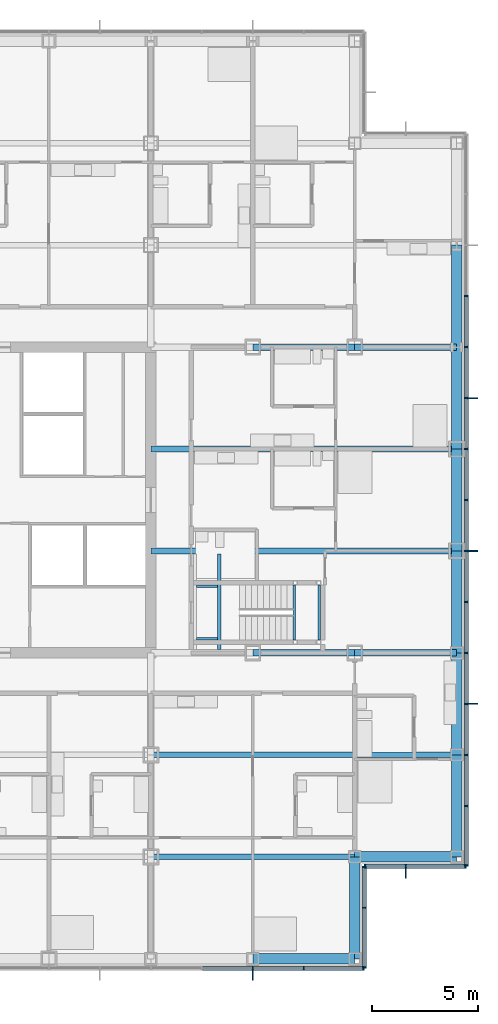
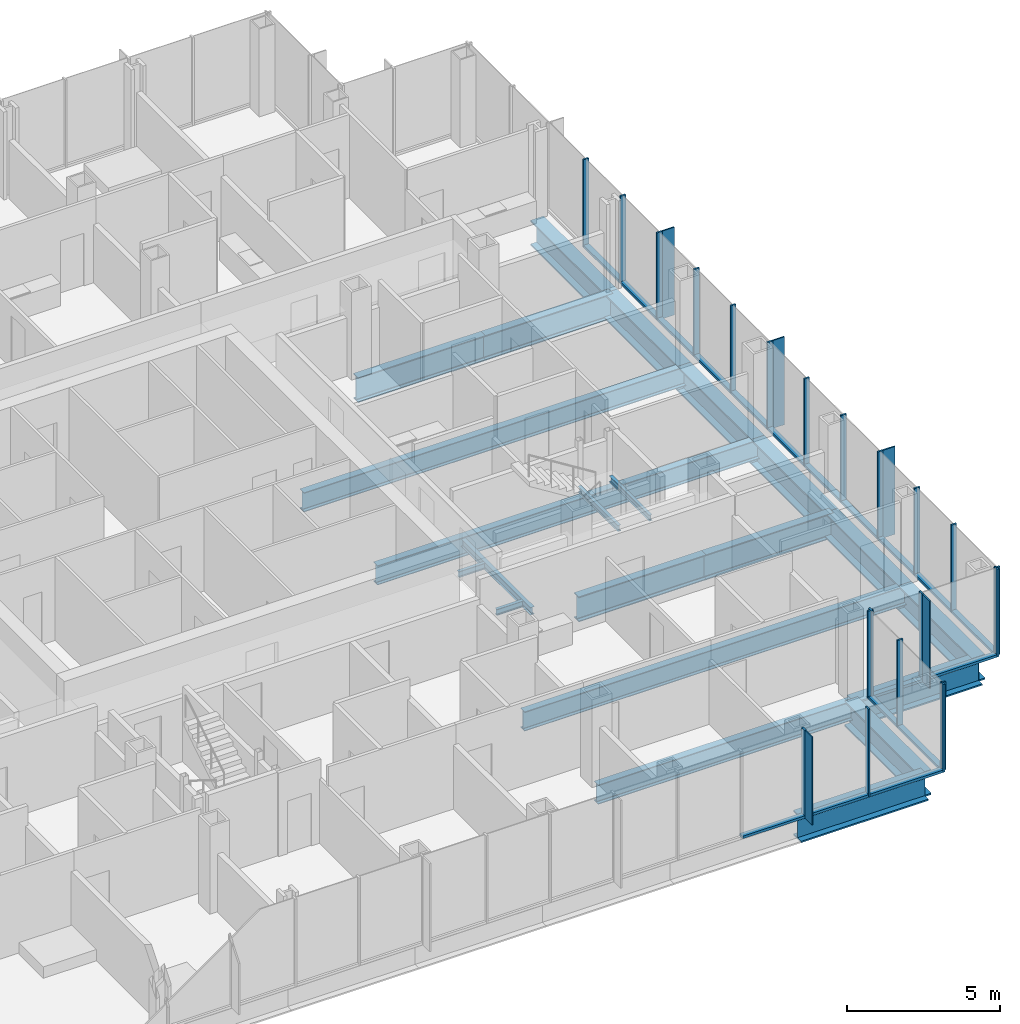
# One storey, part 9 of 21: 44 members, 22 beams, 4 elements without a shape of their own.
"""IFC4 building model written with IfcOpenShell, lengths in metres."""

from ifc_helpers import new_model, si_unit, direction, frame, origin, origin_2d, place, context, subcontext, project, spatial, rectangle, i_section, extrude, material, material_profile, profile_set, type_object, element, aggregate, save


model = new_model("IFC4")

# Units and contexts
model_context = context("Model", 3, precision=1e-05, world=origin(), true_north=direction((0.0, 1.0)))
body_context = subcontext(model_context, "Body", "Model", "MODEL_VIEW")
ifc_project = project(units=[si_unit("LENGTHUNIT", "METRE"), si_unit("AREAUNIT", "SQUARE_METRE"), si_unit("VOLUMEUNIT", "CUBIC_METRE"), si_unit("PLANEANGLEUNIT", "RADIAN"), si_unit("MASSUNIT", "GRAM", prefix="KILO")], contexts=[model_context])

# Site, building, storey
site_placement = place(None, origin())
site = spatial("IfcSite", under=ifc_project, at=site_placement, CompositionType="ELEMENT")
building_placement = place(site_placement, origin())
building = spatial("IfcBuilding", under=site, at=building_placement, Name="Kvirike Care Tower", CompositionType="ELEMENT")
storey_placement = place(building_placement, frame((0.0, 0.0, 30.5)))
storey = spatial("IfcBuildingStorey", under=building, at=storey_placement, Name="L07", CompositionType="ELEMENT", Elevation=30.5)

# Curtain wall, member
ifc_material_1 = material(Name="Anodised aluminium stick system", Category="aluminium")
curtain_wall_type = type_object("IfcCurtainWallType", Name="CW-A STICK CURTAIN WALL", PredefinedType="NOTDEFINED", material=ifc_material_1)
curtain_wall_1_placement = place(storey_placement, origin())
curtain_wall_1 = element("IfcCurtainWall", 1, at=curtain_wall_1_placement, inside=storey, type_object=curtain_wall_type, Name="Curtain wall L07 face 4", PredefinedType="NOTDEFINED")
ifc_material_2 = material(Name="Bronze anodised aluminium fin", Category="aluminium")
ifc_material_profile_1 = material_profile(ifc_material_2, rectangle(XDim=0.050048828125, YDim=0.449951171875, at=origin_2d()), Name="BRONZE FIN 450")
ifc_profile_set_1 = profile_set([ifc_material_profile_1], Name="Bronze anodised aluminium fin")
member_type_1 = type_object("IfcMemberType", Name="BRONZE FIN 450", PredefinedType="USERDEFINED", material=ifc_profile_set_1)
member_1_placement = place(storey_placement, frame((33.60009765625, 13.625, 0.0), z_axis=(0.0, 0.0, 1.0), x_axis=(1.0, 0.0, 0.0)))
member_1 = element("IfcMember", 2, at=member_1_placement, type_object=member_type_1, Name="Bronze fin L07 face 4.13", ObjectType="FIN", PredefinedType="USERDEFINED", context=body_context, shape_type="SweptSolid", body=[
    extrude(rectangle(XDim=0.050048828125, YDim=0.449951171875, at=origin_2d()), origin(), (0.0, 0.0, 1.0), 3.5),
])

curtain_wall_2_placement = place(storey_placement, origin())
curtain_wall_2 = element("IfcCurtainWall", 3, at=curtain_wall_2_placement, inside=storey, type_object=curtain_wall_type, Name="Curtain wall L07 face 6", PredefinedType="NOTDEFINED")
member_2_placement = place(storey_placement, frame((40.800048828125, 18.425048828125, 0.0), z_axis=(0.0, 0.0, 1.0), x_axis=(1.0, 0.0, 0.0)))
member_2 = element("IfcMember", 4, at=member_2_placement, type_object=member_type_1, Name="Bronze fin L07 face 6.2", ObjectType="FIN", PredefinedType="USERDEFINED", context=body_context, shape_type="SweptSolid", body=[
    extrude(rectangle(XDim=0.050048828125, YDim=0.449951171875, at=origin_2d()), origin(), (0.0, 0.0, 1.0), 3.5),
])

# Curtain wall, members
curtain_wall_3_placement = place(storey_placement, origin())
curtain_wall_3 = element("IfcCurtainWall", 5, at=curtain_wall_3_placement, inside=storey, type_object=curtain_wall_type, Name="Curtain wall L07 face 7", PredefinedType="NOTDEFINED")
member_3_placement = place(storey_placement, frame((43.97509765625, 26.39990234375, 0.0), z_axis=(0.0, 0.0, 1.0), x_axis=(0.0, 1.0, 0.0)))
member_3 = element("IfcMember", 6, at=member_3_placement, type_object=member_type_1, Name="Bronze fin L07 face 7.4", ObjectType="FIN", PredefinedType="USERDEFINED", context=body_context, shape_type="SweptSolid", body=[
    extrude(rectangle(XDim=0.050048828125, YDim=0.449951171875, at=origin_2d()), origin(), (0.0, 0.0, 1.0), 3.5),
])
member_4_placement = place(storey_placement, frame((43.97509765625, 33.60009765625, 0.0), z_axis=(0.0, 0.0, 1.0), x_axis=(0.0, 1.0, 0.0)))
member_4 = element("IfcMember", 7, at=member_4_placement, type_object=member_type_1, Name="Bronze fin L07 face 7.7", ObjectType="FIN", PredefinedType="USERDEFINED", context=body_context, shape_type="SweptSolid", body=[
    extrude(rectangle(XDim=0.050048828125, YDim=0.449951171875, at=origin_2d()), origin(), (0.0, 0.0, 1.0), 3.5),
])
member_5_placement = place(storey_placement, frame((43.97509765625, 40.800048828125, 0.0), z_axis=(0.0, 0.0, 1.0), x_axis=(0.0, 1.0, 0.0)))
member_5 = element("IfcMember", 8, at=member_5_placement, type_object=member_type_1, Name="Bronze fin L07 face 7.10", ObjectType="FIN", PredefinedType="USERDEFINED", context=body_context, shape_type="SweptSolid", body=[
    extrude(rectangle(XDim=0.050048828125, YDim=0.449951171875, at=origin_2d()), origin(), (0.0, 0.0, 1.0), 3.5),
])

# Member
ifc_material_3 = material(Name="Bronze anodised aluminium mullion", Category="aluminium")
ifc_material_profile_2 = material_profile(ifc_material_3, rectangle(XDim=0.06494140625, YDim=0.199951171875, at=origin_2d()), Name="CW-A MULLION 65x200")
ifc_profile_set_2 = profile_set([ifc_material_profile_2], Name="Bronze anodised aluminium mullion")
member_type_2 = type_object("IfcMemberType", Name="CW-A MULLION 65x200", PredefinedType="MULLION", material=ifc_profile_set_2)
member_6_placement = place(storey_placement, frame((33.60009765625, 13.949951171875, 0.0), z_axis=(0.0, 0.0, 1.0), x_axis=(1.0, 0.0, 0.0)))
member_6 = element("IfcMember", 9, at=member_6_placement, type_object=member_type_2, Name="CW-A mullion L07 face 4.13", PredefinedType="MULLION", context=body_context, shape_type="SweptSolid", body=[
    extrude(rectangle(XDim=0.06494140625, YDim=0.199951171875, at=origin_2d()), origin(), (0.0, 0.0, 1.0), 3.5),
])

member_7_placement = place(storey_placement, frame((36.0, 13.949951171875, 0.0), z_axis=(0.0, 0.0, 1.0), x_axis=(1.0, 0.0, 0.0)))
member_7 = element("IfcMember", 10, at=member_7_placement, type_object=member_type_2, Name="CW-A mullion L07 face 4.14", PredefinedType="MULLION", context=body_context, shape_type="SweptSolid", body=[
    extrude(rectangle(XDim=0.06494140625, YDim=0.199951171875, at=origin_2d()), origin(), (0.0, 0.0, 1.0), 3.5),
])

member_8_placement = place(storey_placement, frame((38.8173828125, 13.949951171875, 0.0), z_axis=(0.0, 0.0, 1.0), x_axis=(1.0, 0.0, 0.0)))
member_8 = element("IfcMember", 11, at=member_8_placement, type_object=member_type_2, Name="CW-A mullion L07 face 4.15", PredefinedType="MULLION", context=body_context, shape_type="SweptSolid", body=[
    extrude(rectangle(XDim=0.06494140625, YDim=0.199951171875, at=origin_2d()), origin(), (0.0, 0.0, 1.0), 3.5),
])

# Curtain wall, members
curtain_wall_4_placement = place(storey_placement, origin())
curtain_wall_4 = element("IfcCurtainWall", 12, at=curtain_wall_4_placement, inside=storey, type_object=curtain_wall_type, Name="Curtain wall L07 face 5", PredefinedType="NOTDEFINED")
member_9_placement = place(storey_placement, frame((38.85009765625, 13.982421875, 0.0), z_axis=(0.0, 0.0, 1.0), x_axis=(0.0, 1.0, 0.0)))
member_9 = element("IfcMember", 13, at=member_9_placement, type_object=member_type_2, Name="CW-A mullion L07 face 5.1", PredefinedType="MULLION", context=body_context, shape_type="SweptSolid", body=[
    extrude(rectangle(XDim=0.06494140625, YDim=0.199951171875, at=origin_2d()), origin(), (0.0, 0.0, 1.0), 3.5),
])
member_10_placement = place(storey_placement, frame((38.85009765625, 16.800048828125, 0.0), z_axis=(0.0, 0.0, 1.0), x_axis=(0.0, 1.0, 0.0)))
member_10 = element("IfcMember", 14, at=member_10_placement, type_object=member_type_2, Name="CW-A mullion L07 face 5.2", PredefinedType="MULLION", context=body_context, shape_type="SweptSolid", body=[
    extrude(rectangle(XDim=0.06494140625, YDim=0.199951171875, at=origin_2d()), origin(), (0.0, 0.0, 1.0), 3.5),
])
member_11_placement = place(storey_placement, frame((38.85009765625, 18.717529296875, 0.0), z_axis=(0.0, 0.0, 1.0), x_axis=(0.0, 1.0, 0.0)))
member_11 = element("IfcMember", 15, at=member_11_placement, type_object=member_type_2, Name="CW-A mullion L07 face 5.3", PredefinedType="MULLION", context=body_context, shape_type="SweptSolid", body=[
    extrude(rectangle(XDim=0.06494140625, YDim=0.199951171875, at=origin_2d()), origin(), (0.0, 0.0, 1.0), 3.5),
])

# Member
member_12_placement = place(storey_placement, frame((38.882568359375, 18.75, 0.0), z_axis=(0.0, 0.0, 1.0), x_axis=(1.0, 0.0, 0.0)))
member_12 = element("IfcMember", 16, at=member_12_placement, type_object=member_type_2, Name="CW-A mullion L07 face 6.1", PredefinedType="MULLION", context=body_context, shape_type="SweptSolid", body=[
    extrude(rectangle(XDim=0.06494140625, YDim=0.199951171875, at=origin_2d()), origin(), (0.0, 0.0, 1.0), 3.5),
])

member_13_placement = place(storey_placement, frame((40.800048828125, 18.75, 0.0), z_axis=(0.0, 0.0, 1.0), x_axis=(1.0, 0.0, 0.0)))
member_13 = element("IfcMember", 17, at=member_13_placement, type_object=member_type_2, Name="CW-A mullion L07 face 6.2", PredefinedType="MULLION", context=body_context, shape_type="SweptSolid", body=[
    extrude(rectangle(XDim=0.06494140625, YDim=0.199951171875, at=origin_2d()), origin(), (0.0, 0.0, 1.0), 3.5),
])

member_14_placement = place(storey_placement, frame((43.617431640625, 18.75, 0.0), z_axis=(0.0, 0.0, 1.0), x_axis=(1.0, 0.0, 0.0)))
member_14 = element("IfcMember", 18, at=member_14_placement, type_object=member_type_2, Name="CW-A mullion L07 face 6.3", PredefinedType="MULLION", context=body_context, shape_type="SweptSolid", body=[
    extrude(rectangle(XDim=0.06494140625, YDim=0.199951171875, at=origin_2d()), origin(), (0.0, 0.0, 1.0), 3.5),
])

member_15_placement = place(storey_placement, frame((43.64990234375, 18.782470703125, 0.0), z_axis=(0.0, 0.0, 1.0), x_axis=(0.0, 1.0, 0.0)))
member_15 = element("IfcMember", 19, at=member_15_placement, type_object=member_type_2, Name="CW-A mullion L07 face 7.1", PredefinedType="MULLION", context=body_context, shape_type="SweptSolid", body=[
    extrude(rectangle(XDim=0.06494140625, YDim=0.199951171875, at=origin_2d()), origin(), (0.0, 0.0, 1.0), 3.5),
])

member_16_placement = place(storey_placement, frame((43.64990234375, 21.60009765625, 0.0), z_axis=(0.0, 0.0, 1.0), x_axis=(0.0, 1.0, 0.0)))
member_16 = element("IfcMember", 20, at=member_16_placement, type_object=member_type_2, Name="CW-A mullion L07 face 7.2", PredefinedType="MULLION", context=body_context, shape_type="SweptSolid", body=[
    extrude(rectangle(XDim=0.06494140625, YDim=0.199951171875, at=origin_2d()), origin(), (0.0, 0.0, 1.0), 3.5),
])

member_17_placement = place(storey_placement, frame((43.64990234375, 24.0, 0.0), z_axis=(0.0, 0.0, 1.0), x_axis=(0.0, 1.0, 0.0)))
member_17 = element("IfcMember", 21, at=member_17_placement, type_object=member_type_2, Name="CW-A mullion L07 face 7.3", PredefinedType="MULLION", context=body_context, shape_type="SweptSolid", body=[
    extrude(rectangle(XDim=0.06494140625, YDim=0.199951171875, at=origin_2d()), origin(), (0.0, 0.0, 1.0), 3.5),
])

member_18_placement = place(storey_placement, frame((43.64990234375, 26.39990234375, 0.0), z_axis=(0.0, 0.0, 1.0), x_axis=(0.0, 1.0, 0.0)))
member_18 = element("IfcMember", 22, at=member_18_placement, type_object=member_type_2, Name="CW-A mullion L07 face 7.4", PredefinedType="MULLION", context=body_context, shape_type="SweptSolid", body=[
    extrude(rectangle(XDim=0.06494140625, YDim=0.199951171875, at=origin_2d()), origin(), (0.0, 0.0, 1.0), 3.5),
])

member_19_placement = place(storey_placement, frame((43.64990234375, 28.800048828125, 0.0), z_axis=(0.0, 0.0, 1.0), x_axis=(0.0, 1.0, 0.0)))
member_19 = element("IfcMember", 23, at=member_19_placement, type_object=member_type_2, Name="CW-A mullion L07 face 7.5", PredefinedType="MULLION", context=body_context, shape_type="SweptSolid", body=[
    extrude(rectangle(XDim=0.06494140625, YDim=0.199951171875, at=origin_2d()), origin(), (0.0, 0.0, 1.0), 3.5),
])

member_20_placement = place(storey_placement, frame((43.64990234375, 31.199951171875, 0.0), z_axis=(0.0, 0.0, 1.0), x_axis=(0.0, 1.0, 0.0)))
member_20 = element("IfcMember", 24, at=member_20_placement, type_object=member_type_2, Name="CW-A mullion L07 face 7.6", PredefinedType="MULLION", context=body_context, shape_type="SweptSolid", body=[
    extrude(rectangle(XDim=0.06494140625, YDim=0.199951171875, at=origin_2d()), origin(), (0.0, 0.0, 1.0), 3.5),
])

member_21_placement = place(storey_placement, frame((43.64990234375, 33.60009765625, 0.0), z_axis=(0.0, 0.0, 1.0), x_axis=(0.0, 1.0, 0.0)))
member_21 = element("IfcMember", 25, at=member_21_placement, type_object=member_type_2, Name="CW-A mullion L07 face 7.7", PredefinedType="MULLION", context=body_context, shape_type="SweptSolid", body=[
    extrude(rectangle(XDim=0.06494140625, YDim=0.199951171875, at=origin_2d()), origin(), (0.0, 0.0, 1.0), 3.5),
])

member_22_placement = place(storey_placement, frame((43.64990234375, 36.0, 0.0), z_axis=(0.0, 0.0, 1.0), x_axis=(0.0, 1.0, 0.0)))
member_22 = element("IfcMember", 26, at=member_22_placement, type_object=member_type_2, Name="CW-A mullion L07 face 7.8", PredefinedType="MULLION", context=body_context, shape_type="SweptSolid", body=[
    extrude(rectangle(XDim=0.06494140625, YDim=0.199951171875, at=origin_2d()), origin(), (0.0, 0.0, 1.0), 3.5),
])

member_23_placement = place(storey_placement, frame((43.64990234375, 38.39990234375, 0.0), z_axis=(0.0, 0.0, 1.0), x_axis=(0.0, 1.0, 0.0)))
member_23 = element("IfcMember", 27, at=member_23_placement, type_object=member_type_2, Name="CW-A mullion L07 face 7.9", PredefinedType="MULLION", context=body_context, shape_type="SweptSolid", body=[
    extrude(rectangle(XDim=0.06494140625, YDim=0.199951171875, at=origin_2d()), origin(), (0.0, 0.0, 1.0), 3.5),
])

member_24_placement = place(storey_placement, frame((43.64990234375, 40.800048828125, 0.0), z_axis=(0.0, 0.0, 1.0), x_axis=(0.0, 1.0, 0.0)))
member_24 = element("IfcMember", 28, at=member_24_placement, type_object=member_type_2, Name="CW-A mullion L07 face 7.10", PredefinedType="MULLION", context=body_context, shape_type="SweptSolid", body=[
    extrude(rectangle(XDim=0.06494140625, YDim=0.199951171875, at=origin_2d()), origin(), (0.0, 0.0, 1.0), 3.5),
])

member_25_placement = place(storey_placement, frame((43.64990234375, 43.199951171875, 0.0), z_axis=(0.0, 0.0, 1.0), x_axis=(0.0, 1.0, 0.0)))
member_25 = element("IfcMember", 29, at=member_25_placement, type_object=member_type_2, Name="CW-A mullion L07 face 7.11", PredefinedType="MULLION", context=body_context, shape_type="SweptSolid", body=[
    extrude(rectangle(XDim=0.06494140625, YDim=0.199951171875, at=origin_2d()), origin(), (0.0, 0.0, 1.0), 3.5),
])

member_26_placement = place(storey_placement, frame((43.64990234375, 45.60009765625, 0.0), z_axis=(0.0, 0.0, 1.0), x_axis=(0.0, 1.0, 0.0)))
member_26 = element("IfcMember", 30, at=member_26_placement, type_object=member_type_2, Name="CW-A mullion L07 face 7.12", PredefinedType="MULLION", context=body_context, shape_type="SweptSolid", body=[
    extrude(rectangle(XDim=0.06494140625, YDim=0.199951171875, at=origin_2d()), origin(), (0.0, 0.0, 1.0), 3.5),
])

ifc_material_4 = material(Name="Bronze anodised aluminium transom", Category="aluminium")
ifc_material_profile_3 = material_profile(ifc_material_4, rectangle(XDim=0.199951171875, YDim=0.10009765625, at=origin_2d()), Name="CW-A TRANSOM 200x100")
ifc_profile_set_3 = profile_set([ifc_material_profile_3], Name="Bronze anodised aluminium transom")
member_type_3 = type_object("IfcMemberType", Name="CW-A TRANSOM 200x100", PredefinedType="USERDEFINED", material=ifc_profile_set_3)
member_27_placement = place(storey_placement, frame((31.232421875, 13.949951171875, 0.050048828125), z_axis=(1.0, 0.0, 0.0), x_axis=(0.0, 1.0, 0.0)))
member_27 = element("IfcMember", 31, at=member_27_placement, type_object=member_type_3, Name="CW-A sill transom L07 face 4.12", ObjectType="TRANSOM", PredefinedType="USERDEFINED", context=body_context, shape_type="SweptSolid", body=[
    extrude(rectangle(XDim=0.199951171875, YDim=0.10009765625, at=origin_2d()), origin(), (0.0, 0.0, 1.0), 2.3349609375),
])

member_28_placement = place(storey_placement, frame((33.632568359375, 13.949951171875, 0.050048828125), z_axis=(1.0, 0.0, 0.0), x_axis=(0.0, 1.0, 0.0)))
member_28 = element("IfcMember", 32, at=member_28_placement, type_object=member_type_3, Name="CW-A sill transom L07 face 4.13", ObjectType="TRANSOM", PredefinedType="USERDEFINED", context=body_context, shape_type="SweptSolid", body=[
    extrude(rectangle(XDim=0.199951171875, YDim=0.10009765625, at=origin_2d()), origin(), (0.0, 0.0, 1.0), 2.3349609375),
])

member_29_placement = place(storey_placement, frame((36.032470703125, 13.949951171875, 0.050048828125), z_axis=(1.0, 0.0, 0.0), x_axis=(0.0, 1.0, 0.0)))
member_29 = element("IfcMember", 33, at=member_29_placement, type_object=member_type_3, Name="CW-A sill transom L07 face 4.14", ObjectType="TRANSOM", PredefinedType="USERDEFINED", context=body_context, shape_type="SweptSolid", body=[
    extrude(rectangle(XDim=0.199951171875, YDim=0.10009765625, at=origin_2d()), origin(), (0.0, 0.0, 1.0), 2.75244140625),
])

aggregate(curtain_wall_1, [member_6, member_1, member_7, member_8, member_27, member_28, member_29])

member_30_placement = place(storey_placement, frame((38.85009765625, 14.014892578125, 0.050048828125), z_axis=(0.0, 1.0, 0.0), x_axis=(-1.0, 0.0, 0.0)))
member_30 = element("IfcMember", 34, at=member_30_placement, type_object=member_type_3, Name="CW-A sill transom L07 face 5.1", ObjectType="TRANSOM", PredefinedType="USERDEFINED", context=body_context, shape_type="SweptSolid", body=[
    extrude(rectangle(XDim=0.199951171875, YDim=0.10009765625, at=origin_2d()), origin(), (0.0, 0.0, 1.0), 2.752685546875),
])

member_31_placement = place(storey_placement, frame((38.85009765625, 16.83251953125, 0.050048828125), z_axis=(0.0, 1.0, 0.0), x_axis=(-1.0, 0.0, 0.0)))
member_31 = element("IfcMember", 35, at=member_31_placement, type_object=member_type_3, Name="CW-A sill transom L07 face 5.2", ObjectType="TRANSOM", PredefinedType="USERDEFINED", context=body_context, shape_type="SweptSolid", body=[
    extrude(rectangle(XDim=0.199951171875, YDim=0.10009765625, at=origin_2d()), origin(), (0.0, 0.0, 1.0), 1.8525390625),
])

aggregate(curtain_wall_4, [member_9, member_10, member_11, member_30, member_31])

member_32_placement = place(storey_placement, frame((38.9150390625, 18.75, 0.050048828125), z_axis=(1.0, 0.0, 0.0), x_axis=(0.0, 1.0, 0.0)))
member_32 = element("IfcMember", 36, at=member_32_placement, type_object=member_type_3, Name="CW-A sill transom L07 face 6.1", ObjectType="TRANSOM", PredefinedType="USERDEFINED", context=body_context, shape_type="SweptSolid", body=[
    extrude(rectangle(XDim=0.199951171875, YDim=0.10009765625, at=origin_2d()), origin(), (0.0, 0.0, 1.0), 1.8525390625),
])

member_33_placement = place(storey_placement, frame((40.83251953125, 18.75, 0.050048828125), z_axis=(1.0, 0.0, 0.0), x_axis=(0.0, 1.0, 0.0)))
member_33 = element("IfcMember", 37, at=member_33_placement, type_object=member_type_3, Name="CW-A sill transom L07 face 6.2", ObjectType="TRANSOM", PredefinedType="USERDEFINED", context=body_context, shape_type="SweptSolid", body=[
    extrude(rectangle(XDim=0.199951171875, YDim=0.10009765625, at=origin_2d()), origin(), (0.0, 0.0, 1.0), 2.75244140625),
])

aggregate(curtain_wall_2, [member_12, member_13, member_2, member_14, member_32, member_33])

member_34_placement = place(storey_placement, frame((43.64990234375, 18.81494140625, 0.050048828125), z_axis=(0.0, 1.0, 0.0), x_axis=(-1.0, 0.0, 0.0)))
member_34 = element("IfcMember", 38, at=member_34_placement, type_object=member_type_3, Name="CW-A sill transom L07 face 7.1", ObjectType="TRANSOM", PredefinedType="USERDEFINED", context=body_context, shape_type="SweptSolid", body=[
    extrude(rectangle(XDim=0.199951171875, YDim=0.10009765625, at=origin_2d()), origin(), (0.0, 0.0, 1.0), 2.75244140625),
])

member_35_placement = place(storey_placement, frame((43.64990234375, 21.632568359375, 0.050048828125), z_axis=(0.0, 1.0, 0.0), x_axis=(-1.0, 0.0, 0.0)))
member_35 = element("IfcMember", 39, at=member_35_placement, type_object=member_type_3, Name="CW-A sill transom L07 face 7.2", ObjectType="TRANSOM", PredefinedType="USERDEFINED", context=body_context, shape_type="SweptSolid", body=[
    extrude(rectangle(XDim=0.199951171875, YDim=0.10009765625, at=origin_2d()), origin(), (0.0, 0.0, 1.0), 2.3349609375),
])

member_36_placement = place(storey_placement, frame((43.64990234375, 24.032470703125, 0.050048828125), z_axis=(0.0, 1.0, 0.0), x_axis=(-1.0, 0.0, 0.0)))
member_36 = element("IfcMember", 40, at=member_36_placement, type_object=member_type_3, Name="CW-A sill transom L07 face 7.3", ObjectType="TRANSOM", PredefinedType="USERDEFINED", context=body_context, shape_type="SweptSolid", body=[
    extrude(rectangle(XDim=0.199951171875, YDim=0.10009765625, at=origin_2d()), origin(), (0.0, 0.0, 1.0), 2.3349609375),
])

member_37_placement = place(storey_placement, frame((43.64990234375, 26.4326171875, 0.050048828125), z_axis=(0.0, 1.0, 0.0), x_axis=(-1.0, 0.0, 0.0)))
member_37 = element("IfcMember", 41, at=member_37_placement, type_object=member_type_3, Name="CW-A sill transom L07 face 7.4", ObjectType="TRANSOM", PredefinedType="USERDEFINED", context=body_context, shape_type="SweptSolid", body=[
    extrude(rectangle(XDim=0.199951171875, YDim=0.10009765625, at=origin_2d()), origin(), (0.0, 0.0, 1.0), 2.3349609375),
])

member_38_placement = place(storey_placement, frame((43.64990234375, 28.83251953125, 0.050048828125), z_axis=(0.0, 1.0, 0.0), x_axis=(-1.0, 0.0, 0.0)))
member_38 = element("IfcMember", 42, at=member_38_placement, type_object=member_type_3, Name="CW-A sill transom L07 face 7.5", ObjectType="TRANSOM", PredefinedType="USERDEFINED", context=body_context, shape_type="SweptSolid", body=[
    extrude(rectangle(XDim=0.199951171875, YDim=0.10009765625, at=origin_2d()), origin(), (0.0, 0.0, 1.0), 2.3349609375),
])

member_39_placement = place(storey_placement, frame((43.64990234375, 31.232421875, 0.050048828125), z_axis=(0.0, 1.0, 0.0), x_axis=(-1.0, 0.0, 0.0)))
member_39 = element("IfcMember", 43, at=member_39_placement, type_object=member_type_3, Name="CW-A sill transom L07 face 7.6", ObjectType="TRANSOM", PredefinedType="USERDEFINED", context=body_context, shape_type="SweptSolid", body=[
    extrude(rectangle(XDim=0.199951171875, YDim=0.10009765625, at=origin_2d()), origin(), (0.0, 0.0, 1.0), 2.3349609375),
])

member_40_placement = place(storey_placement, frame((43.64990234375, 33.632568359375, 0.050048828125), z_axis=(0.0, 1.0, 0.0), x_axis=(-1.0, 0.0, 0.0)))
member_40 = element("IfcMember", 44, at=member_40_placement, type_object=member_type_3, Name="CW-A sill transom L07 face 7.7", ObjectType="TRANSOM", PredefinedType="USERDEFINED", context=body_context, shape_type="SweptSolid", body=[
    extrude(rectangle(XDim=0.199951171875, YDim=0.10009765625, at=origin_2d()), origin(), (0.0, 0.0, 1.0), 2.3349609375),
])

member_41_placement = place(storey_placement, frame((43.64990234375, 36.032470703125, 0.050048828125), z_axis=(0.0, 1.0, 0.0), x_axis=(-1.0, 0.0, 0.0)))
member_41 = element("IfcMember", 45, at=member_41_placement, type_object=member_type_3, Name="CW-A sill transom L07 face 7.8", ObjectType="TRANSOM", PredefinedType="USERDEFINED", context=body_context, shape_type="SweptSolid", body=[
    extrude(rectangle(XDim=0.199951171875, YDim=0.10009765625, at=origin_2d()), origin(), (0.0, 0.0, 1.0), 2.3349609375),
])

member_42_placement = place(storey_placement, frame((43.64990234375, 38.4326171875, 0.050048828125), z_axis=(0.0, 1.0, 0.0), x_axis=(-1.0, 0.0, 0.0)))
member_42 = element("IfcMember", 46, at=member_42_placement, type_object=member_type_3, Name="CW-A sill transom L07 face 7.9", ObjectType="TRANSOM", PredefinedType="USERDEFINED", context=body_context, shape_type="SweptSolid", body=[
    extrude(rectangle(XDim=0.199951171875, YDim=0.10009765625, at=origin_2d()), origin(), (0.0, 0.0, 1.0), 2.3349609375),
])

member_43_placement = place(storey_placement, frame((43.64990234375, 40.83251953125, 0.050048828125), z_axis=(0.0, 1.0, 0.0), x_axis=(-1.0, 0.0, 0.0)))
member_43 = element("IfcMember", 47, at=member_43_placement, type_object=member_type_3, Name="CW-A sill transom L07 face 7.10", ObjectType="TRANSOM", PredefinedType="USERDEFINED", context=body_context, shape_type="SweptSolid", body=[
    extrude(rectangle(XDim=0.199951171875, YDim=0.10009765625, at=origin_2d()), origin(), (0.0, 0.0, 1.0), 2.3349609375),
])

member_44_placement = place(storey_placement, frame((43.64990234375, 43.232421875, 0.050048828125), z_axis=(0.0, 1.0, 0.0), x_axis=(-1.0, 0.0, 0.0)))
member_44 = element("IfcMember", 48, at=member_44_placement, type_object=member_type_3, Name="CW-A sill transom L07 face 7.11", ObjectType="TRANSOM", PredefinedType="USERDEFINED", context=body_context, shape_type="SweptSolid", body=[
    extrude(rectangle(XDim=0.199951171875, YDim=0.10009765625, at=origin_2d()), origin(), (0.0, 0.0, 1.0), 2.3349609375),
])

aggregate(curtain_wall_3, [member_15, member_16, member_17, member_18, member_3, member_19, member_20, member_21, member_4, member_22, member_23, member_24, member_5, member_25, member_26, member_34, member_35, member_36, member_37, member_38, member_39, member_40, member_41, member_42, member_43, member_44])

# Beams
ifc_material_5 = material(Name="Steel S355", Category="steel")
ifc_material_profile_4 = material_profile(ifc_material_5, i_section(OverallWidth=0.26806640625, OverallDepth=0.77001953125, WebThickness=0.015625, FlangeThickness=0.025390625, FilletRadius=0.01708984375, at=origin_2d()), Name="IPE 750x196")
ifc_profile_set_4 = profile_set([ifc_material_profile_4], Name="Steel S355")
beam_type_1 = type_object("IfcBeamType", Name="FLOOR BEAM IPE 750x196", PredefinedType="BEAM", material=ifc_profile_set_4)
beam_1_placement = place(storey_placement, frame((28.800048828125, 19.199951171875, -0.554931640625), z_axis=(1.0, 0.0, 0.0), x_axis=(0.0, 1.0, 0.0)))
element("IfcBeam", 49, at=beam_1_placement, inside=storey, type_object=beam_type_1, Name="Floor Beam E9-E11 L07", PredefinedType="BEAM", context=body_context, shape_type="SweptSolid", body=[
    extrude(i_section(OverallWidth=0.26806640625, OverallDepth=0.77001953125, WebThickness=0.015625, FlangeThickness=0.025390625, FilletRadius=0.01708984375, at=origin_2d()), origin(), (0.0, 0.0, 1.0), 9.599853515625),
])
for number, where, z_axis, x_axis, name in (
    (50, (28.800048828125, 24.0, -0.554931640625), (1.0, 0.0, 0.0), (0.0, 1.0, 0.0), "Floor Beam F9-F12 L07"),
    (51, (28.800048828125, 33.60009765625, -0.554931640625), (1.0, 0.0, 0.0), (0.0, 1.0, 0.0), "Floor Beam H9-H12 L07"),
    (52, (28.800048828125, 38.39990234375, -0.554931640625), (1.0, 0.0, 0.0), (0.0, 1.0, 0.0), "Floor Beam J9-J12 L07"),
):
    element("IfcBeam", number, at=place(storey_placement, frame(where, z_axis=z_axis, x_axis=x_axis)), inside=storey, type_object=beam_type_1, Name=name, PredefinedType="BEAM", context=body_context, shape_type="SweptSolid", body=[
        extrude(i_section(OverallWidth=0.26806640625, OverallDepth=0.77001953125, WebThickness=0.015625, FlangeThickness=0.025390625, FilletRadius=0.01708984375, at=origin_2d()), origin(), (0.0, 0.0, 1.0), 14.39990234375),
    ])
ifc_material_6 = material(Name="Steel S355", Category="steel")
ifc_material_profile_5 = material_profile(ifc_material_6, i_section(OverallWidth=0.300048828125, OverallDepth=1.0, WebThickness=0.01904296875, FlangeThickness=0.035888671875, FilletRadius=0.030029296875, at=origin_2d()), Name="HE 1000 B")
ifc_profile_set_5 = profile_set([ifc_material_profile_5], Name="Steel S355")
beam_type_2 = type_object("IfcBeamType", Name="FRAME BEAM HE 1000 B", PredefinedType="BEAM", material=ifc_profile_set_5)
beam_2_placement = place(storey_placement, frame((33.60009765625, 28.800048828125, -0.669921875), z_axis=(1.0, 0.0, 0.0), x_axis=(0.0, 1.0, 0.0)))
element("IfcBeam", 53, at=beam_2_placement, inside=storey, type_object=beam_type_2, Name="Frame Beam G10-G11 L07", PredefinedType="BEAM", context=body_context, shape_type="SweptSolid", body=[
    extrude(i_section(OverallWidth=0.300048828125, OverallDepth=1.0, WebThickness=0.01904296875, FlangeThickness=0.035888671875, FilletRadius=0.030029296875, at=origin_2d()), origin(), (0.0, 0.0, 1.0), 4.7998046875),
])
beam_3_placement = place(storey_placement, frame((38.39990234375, 28.800048828125, -0.669921875), z_axis=(1.0, 0.0, 0.0), x_axis=(0.0, 1.0, 0.0)))
element("IfcBeam", 54, at=beam_3_placement, inside=storey, type_object=beam_type_2, Name="Frame Beam G11-G12 L07", PredefinedType="BEAM", context=body_context, shape_type="SweptSolid", body=[
    extrude(i_section(OverallWidth=0.300048828125, OverallDepth=1.0, WebThickness=0.01904296875, FlangeThickness=0.035888671875, FilletRadius=0.030029296875, at=origin_2d()), origin(), (0.0, 0.0, 1.0), 4.800048828125),
])
beam_4_placement = place(storey_placement, frame((33.60009765625, 43.199951171875, -0.669921875), z_axis=(1.0, 0.0, 0.0), x_axis=(0.0, 1.0, 0.0)))
element("IfcBeam", 55, at=beam_4_placement, inside=storey, type_object=beam_type_2, Name="Frame Beam K10-K11 L07", PredefinedType="BEAM", context=body_context, shape_type="SweptSolid", body=[
    extrude(i_section(OverallWidth=0.300048828125, OverallDepth=1.0, WebThickness=0.01904296875, FlangeThickness=0.035888671875, FilletRadius=0.030029296875, at=origin_2d()), origin(), (0.0, 0.0, 1.0), 4.7998046875),
])
beam_5_placement = place(storey_placement, frame((38.39990234375, 43.199951171875, -0.669921875), z_axis=(1.0, 0.0, 0.0), x_axis=(0.0, 1.0, 0.0)))
element("IfcBeam", 56, at=beam_5_placement, inside=storey, type_object=beam_type_2, Name="Frame Beam K11-K12 L07", PredefinedType="BEAM", context=body_context, shape_type="SweptSolid", body=[
    extrude(i_section(OverallWidth=0.300048828125, OverallDepth=1.0, WebThickness=0.01904296875, FlangeThickness=0.035888671875, FilletRadius=0.030029296875, at=origin_2d()), origin(), (0.0, 0.0, 1.0), 4.800048828125),
])
ifc_material_7 = material(Name="Steel S355", Category="steel")
ifc_material_profile_6 = material_profile(ifc_material_7, i_section(OverallWidth=0.5, OverallDepth=1.0, WebThickness=0.030029296875, FlangeThickness=0.06005859375, at=origin_2d()), Name="PG 1000x500x30x60")
ifc_profile_set_6 = profile_set([ifc_material_profile_6], Name="Steel S355")
beam_type_3 = type_object("IfcBeamType", Name="SPANDREL PG 1000x500x30x60", PredefinedType="SPANDREL", material=ifc_profile_set_6)
beam_6_placement = place(storey_placement, frame((33.60009765625, 14.39990234375, -0.669921875), z_axis=(1.0, 0.0, 0.0), x_axis=(0.0, 1.0, 0.0)))
element("IfcBeam", 57, at=beam_6_placement, inside=storey, type_object=beam_type_3, Name="Spandrel D10-D11 L07", PredefinedType="SPANDREL", context=body_context, shape_type="SweptSolid", body=[
    extrude(i_section(OverallWidth=0.5, OverallDepth=1.0, WebThickness=0.030029296875, FlangeThickness=0.06005859375, at=origin_2d()), origin(), (0.0, 0.0, 1.0), 4.7998046875),
])
for number, where, z_axis, x_axis, name in (
    (58, (38.39990234375, 19.199951171875, -0.669921875), (1.0, 0.0, 0.0), (0.0, 1.0, 0.0), "Spandrel E11-E12 L07"),
    (59, (38.39990234375, 14.39990234375, -0.669921875), (0.0, 1.0, 0.0), (-1.0, 0.0, 0.0), "Spandrel D11-E11 L07"),
    (60, (43.199951171875, 19.199951171875, -0.669921875), (0.0, 1.0, 0.0), (-1.0, 0.0, 0.0), "Spandrel E12-F12 L07"),
    (61, (43.199951171875, 24.0, -0.669921875), (0.0, 1.0, 0.0), (-1.0, 0.0, 0.0), "Spandrel F12-G12 L07"),
    (62, (43.199951171875, 28.800048828125, -0.669921875), (0.0, 1.0, 0.0), (-1.0, 0.0, 0.0), "Spandrel G12-H12 L07"),
):
    element("IfcBeam", number, at=place(storey_placement, frame(where, z_axis=z_axis, x_axis=x_axis)), inside=storey, type_object=beam_type_3, Name=name, PredefinedType="SPANDREL", context=body_context, shape_type="SweptSolid", body=[
        extrude(i_section(OverallWidth=0.5, OverallDepth=1.0, WebThickness=0.030029296875, FlangeThickness=0.06005859375, at=origin_2d()), origin(), (0.0, 0.0, 1.0), 4.800048828125),
    ])
beam_7_placement = place(storey_placement, frame((43.199951171875, 33.60009765625, -0.669921875), z_axis=(0.0, 1.0, 0.0), x_axis=(-1.0, 0.0, 0.0)))
element("IfcBeam", 63, at=beam_7_placement, inside=storey, type_object=beam_type_3, Name="Spandrel H12-J12 L07", PredefinedType="SPANDREL", context=body_context, shape_type="SweptSolid", body=[
    extrude(i_section(OverallWidth=0.5, OverallDepth=1.0, WebThickness=0.030029296875, FlangeThickness=0.06005859375, at=origin_2d()), origin(), (0.0, 0.0, 1.0), 4.7998046875),
])
for number, where, z_axis, x_axis, name in (
    (64, (43.199951171875, 38.39990234375, -0.669921875), (0.0, 1.0, 0.0), (-1.0, 0.0, 0.0), "Spandrel J12-K12 L07"),
    (65, (43.199951171875, 43.199951171875, -0.669921875), (0.0, 1.0, 0.0), (-1.0, 0.0, 0.0), "Spandrel K12-L12 L07"),
):
    element("IfcBeam", number, at=place(storey_placement, frame(where, z_axis=z_axis, x_axis=x_axis)), inside=storey, type_object=beam_type_3, Name=name, PredefinedType="SPANDREL", context=body_context, shape_type="SweptSolid", body=[
        extrude(i_section(OverallWidth=0.5, OverallDepth=1.0, WebThickness=0.030029296875, FlangeThickness=0.06005859375, at=origin_2d()), origin(), (0.0, 0.0, 1.0), 4.800048828125),
    ])
ifc_material_8 = material(Name="Steel S355", Category="steel")
ifc_material_profile_7 = material_profile(ifc_material_8, i_section(OverallWidth=0.1201171875, OverallDepth=0.239990234375, WebThickness=0.006103515625, FlangeThickness=0.009765625, FilletRadius=0.014892578125, at=origin_2d()), Name="IPE 240")
ifc_profile_set_7 = profile_set([ifc_material_profile_7], Name="Steel S355")
beam_type_4 = type_object("IfcBeamType", Name="STAIR LANDING BEAM IPE 240", PredefinedType="BEAM", material=ifc_profile_set_7)
for number, where, z_axis, x_axis, name in (
    (66, (36.739990234375, 29.39990234375, 1.429931640625), (0.0, 1.0, 0.0), (-1.0, 0.0, 0.0), "Stair 2 landing beam back L07"),
    (67, (35.56005859375, 29.39990234375, 1.429931640625), (0.0, 1.0, 0.0), (-1.0, 0.0, 0.0), "Stair 2 landing beam front L07"),
):
    element("IfcBeam", number, at=place(storey_placement, frame(where, z_axis=z_axis, x_axis=x_axis)), inside=storey, type_object=beam_type_4, Name=name, PredefinedType="BEAM", context=body_context, shape_type="SweptSolid", body=[
        extrude(i_section(OverallWidth=0.1201171875, OverallDepth=0.239990234375, WebThickness=0.006103515625, FlangeThickness=0.009765625, FilletRadius=0.014892578125, at=origin_2d()), origin(), (0.0, 0.0, 1.0), 2.60009765625),
    ])
for number, where, z_axis, x_axis, name in (
    (68, (31.949951171875, 29.4599609375, -0.320068359375), (-1.0, 0.0, 0.0), (0.0, -1.0, 0.0), "Stair 2 landing edge beam 1 L07"),
    (69, (31.949951171875, 31.93994140625, -0.320068359375), (-1.0, 0.0, 0.0), (0.0, -1.0, 0.0), "Stair 2 landing edge beam 2 L07"),
):
    element("IfcBeam", number, at=place(storey_placement, frame(where, z_axis=z_axis, x_axis=x_axis)), inside=storey, type_object=beam_type_4, Name=name, PredefinedType="BEAM", context=body_context, shape_type="SweptSolid", body=[
        extrude(i_section(OverallWidth=0.1201171875, OverallDepth=0.239990234375, WebThickness=0.006103515625, FlangeThickness=0.009765625, FilletRadius=0.014892578125, at=origin_2d()), origin(), (0.0, 0.0, 1.0), 1.0),
    ])
ifc_material_9 = material(Name="Steel S355", Category="steel")
ifc_material_profile_8 = material_profile(ifc_material_9, i_section(OverallWidth=0.14990234375, OverallDepth=0.300048828125, WebThickness=0.007080078125, FlangeThickness=0.0107421875, FilletRadius=0.014892578125, at=origin_2d()), Name="IPE 300")
ifc_profile_set_8 = profile_set([ifc_material_profile_8], Name="Steel S355")
beam_type_5 = type_object("IfcBeamType", Name="STAIR TRIMMER IPE 300", PredefinedType="BEAM", material=ifc_profile_set_8)
beam_8_placement = place(storey_placement, frame((32.02490234375, 28.949951171875, -0.35009765625), z_axis=(0.0, 1.0, 0.0), x_axis=(-1.0, 0.0, 0.0)))
element("IfcBeam", 70, at=beam_8_placement, inside=storey, type_object=beam_type_5, Name="Stair 2 trimmer 1 L07", PredefinedType="BEAM", context=body_context, shape_type="SweptSolid", body=[
    extrude(i_section(OverallWidth=0.14990234375, OverallDepth=0.300048828125, WebThickness=0.007080078125, FlangeThickness=0.0107421875, FilletRadius=0.014892578125, at=origin_2d()), origin(), (0.0, 0.0, 1.0), 4.51611328125),
])

save(model, "model.ifc")
